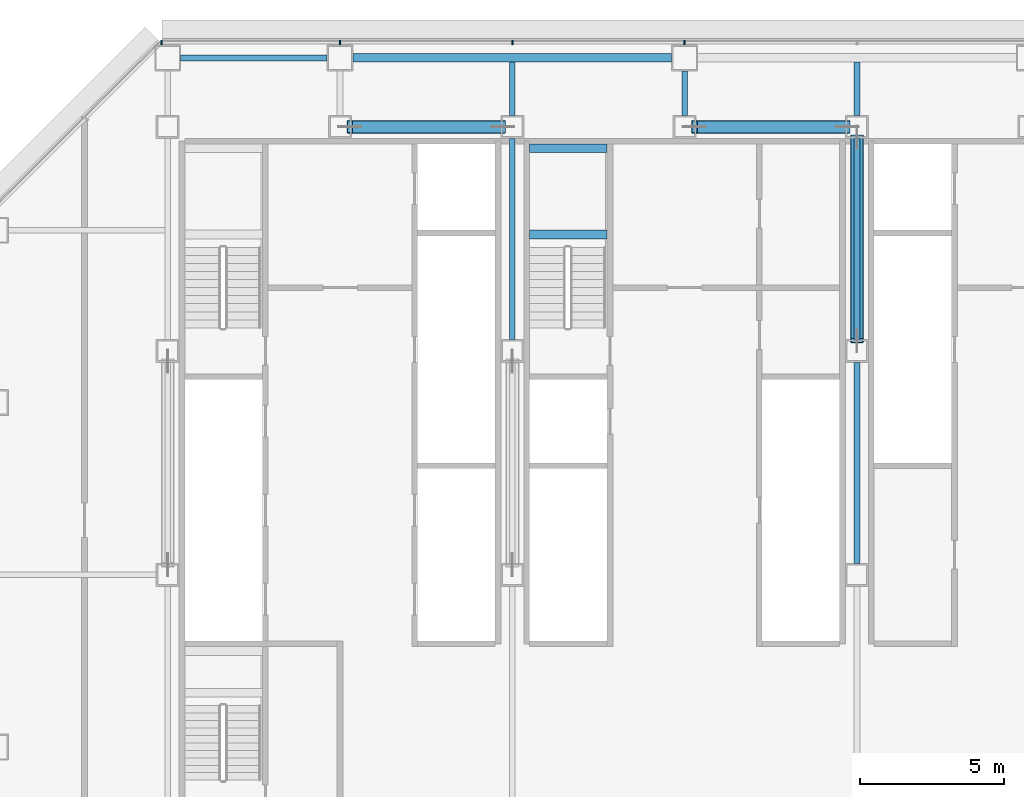
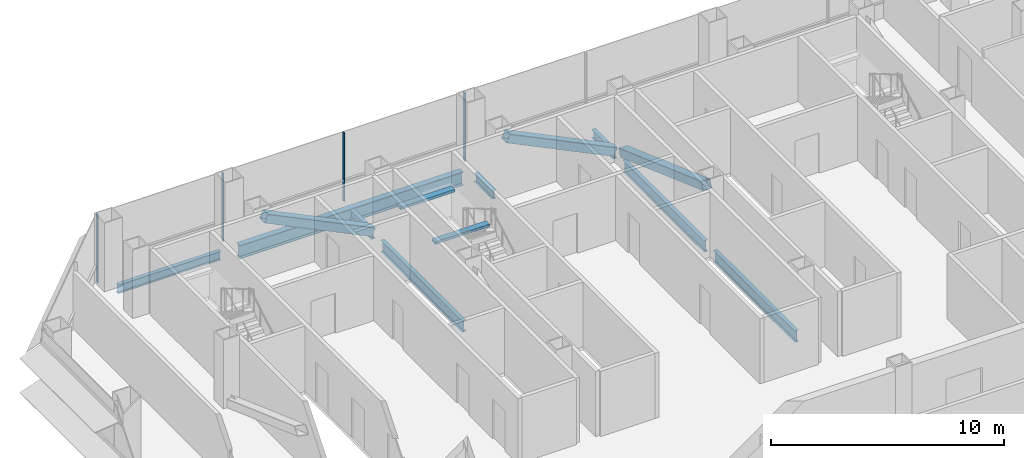
# One storey, part 12 of 27: 10 beams, 7 members, 1 element without a shape of its own.
"""IFC4 building model written with IfcOpenShell, lengths in metres."""

from ifc_helpers import new_model, si_unit, direction, frame, origin, origin_2d, place, context, subcontext, project, spatial, rectangle, hollow_rectangle, i_section, extrude, material, material_profile, profile_set, type_object, element, aggregate, save


model = new_model("IFC4")

# Units and contexts
model_context = context("Model", 3, precision=1e-05, world=origin(), true_north=direction((0.0, 1.0)))
body_context = subcontext(model_context, "Body", "Model", "MODEL_VIEW")
ifc_project = project(units=[si_unit("LENGTHUNIT", "METRE"), si_unit("AREAUNIT", "SQUARE_METRE"), si_unit("VOLUMEUNIT", "CUBIC_METRE"), si_unit("PLANEANGLEUNIT", "RADIAN"), si_unit("MASSUNIT", "GRAM", prefix="KILO")], contexts=[model_context])

# Site, building, storey
site_placement = place(None, origin())
site = spatial("IfcSite", under=ifc_project, at=site_placement, CompositionType="ELEMENT")
building_placement = place(site_placement, origin())
building = spatial("IfcBuilding", under=site, at=building_placement, Name="Sorahane Residences", CompositionType="ELEMENT")
storey_placement = place(building_placement, frame((0.0, 0.0, 82.199951171875)))
storey = spatial("IfcBuildingStorey", under=building, at=storey_placement, Name="L17", CompositionType="ELEMENT", Elevation=82.199951171875)

# Members
ifc_material_1 = material(Name="Steel Q355B", Category="steel")
ifc_material_profile_1 = material_profile(ifc_material_1, hollow_rectangle(XDim=0.449951171875, YDim=0.449951171875, WallThickness=0.02197265625, InnerFilletRadius=0.010986328125, OuterFilletRadius=0.032958984375, at=origin_2d()), Name="RHS 450x450x22")
ifc_profile_set_1 = profile_set([ifc_material_profile_1], Name="Steel Q355B")
member_type_1 = type_object("IfcMemberType", Name="Core brace RHS 450x450x22 Q355B", PredefinedType="BRACE", material=ifc_profile_set_1)
for number, where, z_axis, x_axis, name in (
    (1, (17.658935546875, 45.60009765625, 0.196533203125), (-0.899894691922, 0.0, 0.436107261405), (0.0, -1.0, 0.0), "Core brace L17 y45.6-2"),
    (2, (29.658935546875, 45.60009765625, 0.196533203125), (-0.899894691922, 0.0, 0.436107261405), (0.0, -1.0, 0.0), "Core brace L17 y45.6-4"),
):
    element("IfcMember", number, at=place(storey_placement, frame(where, z_axis=z_axis, x_axis=x_axis)), inside=storey, type_object=member_type_1, Name=name, PredefinedType="BRACE", context=body_context, shape_type="SweptSolid", body=[
        extrude(hollow_rectangle(XDim=0.449951171875, YDim=0.449951171875, WallThickness=0.02197265625, InnerFilletRadius=0.010986328125, OuterFilletRadius=0.032958984375, at=origin_2d()), origin(), (0.0, 0.0, 1.0), 5.909423828125),
    ])
member_1_placement = place(storey_placement, frame((30.0, 45.24560546875, 0.20849609375), z_axis=(0.0, -0.940882869443, 0.338732085856), x_axis=(1.0, 0.0, 0.0)))
element("IfcMember", 3, at=member_1_placement, inside=storey, type_object=member_type_1, Name="Core brace L17 x30-2", PredefinedType="BRACE", context=body_context, shape_type="SweptSolid", body=[
    extrude(hollow_rectangle(XDim=0.449951171875, YDim=0.449951171875, WallThickness=0.02197265625, InnerFilletRadius=0.010986328125, OuterFilletRadius=0.032958984375, at=origin_2d()), origin(), (0.0, 0.0, 1.0), 7.536865234375),
])

# Curtain wall, members
ifc_material_2 = material(Name="Dark low-e glass and black anodised aluminium", Category="aluminium")
curtain_wall_type = type_object("IfcCurtainWallType", Name="Curtain wall CW-1 Typical unitised wall", PredefinedType="NOTDEFINED", material=ifc_material_2)
curtain_wall_placement = place(storey_placement, origin())
curtain_wall = element("IfcCurtainWall", 4, at=curtain_wall_placement, inside=storey, type_object=curtain_wall_type, Name="CW-1 curtain wall L17 N1", PredefinedType="NOTDEFINED")
ifc_material_3 = material(Name="Black anodised aluminium", Category="aluminium")
ifc_material_profile_2 = material_profile(ifc_material_3, rectangle(XDim=0.159912109375, YDim=0.050048828125, at=origin_2d()), Name="Curtain wall mullion CW-1 black anodised aluminium 50x160")
ifc_profile_set_2 = profile_set([ifc_material_profile_2], Name="Black anodised aluminium")
member_type_2 = type_object("IfcMemberType", Name="Curtain wall mullion CW-1 black anodised aluminium 50x160", PredefinedType="MULLION", material=ifc_profile_set_2)
member_2_placement = place(storey_placement, frame((24.0, 48.5400390625, -0.179931640625), z_axis=(0.0, 0.0, 1.0), x_axis=(0.0, 1.0, 0.0)))
member_2 = element("IfcMember", 5, at=member_2_placement, type_object=member_type_2, Name="CW-1 mullion L17 N1.7", PredefinedType="MULLION", context=body_context, shape_type="SweptSolid", body=[
    extrude(rectangle(XDim=0.159912109375, YDim=0.050048828125, at=origin_2d()), origin(), (0.0, 0.0, 1.0), 3.60009765625),
])
member_3_placement = place(storey_placement, frame((18.0, 48.5400390625, -0.179931640625), z_axis=(0.0, 0.0, 1.0), x_axis=(0.0, 1.0, 0.0)))
member_3 = element("IfcMember", 6, at=member_3_placement, type_object=member_type_2, Name="CW-1 mullion L17 N1.8", PredefinedType="MULLION", context=body_context, shape_type="SweptSolid", body=[
    extrude(rectangle(XDim=0.159912109375, YDim=0.050048828125, at=origin_2d()), origin(), (0.0, 0.0, 1.0), 3.60009765625),
])
member_4_placement = place(storey_placement, frame((12.0, 48.5400390625, -0.179931640625), z_axis=(0.0, 0.0, 1.0), x_axis=(0.0, 1.0, 0.0)))
member_4 = element("IfcMember", 7, at=member_4_placement, type_object=member_type_2, Name="CW-1 mullion L17 N1.9", PredefinedType="MULLION", context=body_context, shape_type="SweptSolid", body=[
    extrude(rectangle(XDim=0.159912109375, YDim=0.050048828125, at=origin_2d()), origin(), (0.0, 0.0, 1.0), 3.60009765625),
])
member_5_placement = place(storey_placement, frame((5.7763671875, 48.5400390625, -0.179931640625), z_axis=(0.0, 0.0, 1.0), x_axis=(0.0, 1.0, 0.0)))
member_5 = element("IfcMember", 8, at=member_5_placement, type_object=member_type_2, Name="CW-1 mullion L17 N1.10", PredefinedType="MULLION", context=body_context, shape_type="SweptSolid", body=[
    extrude(rectangle(XDim=0.159912109375, YDim=0.050048828125, at=origin_2d()), origin(), (0.0, 0.0, 1.0), 3.60009765625),
])
aggregate(curtain_wall, [member_2, member_3, member_4, member_5])

# Beams
ifc_material_4 = material(Name="Concrete C40", Category="concrete")
ifc_material_profile_3 = material_profile(ifc_material_4, rectangle(XDim=0.300048828125, YDim=0.139892578125, at=origin_2d()), Name="300x140")
ifc_profile_set_3 = profile_set([ifc_material_profile_3], Name="Concrete C40")
beam_type_1 = type_object("IfcBeamType", Name="RC landing beam 300 x 140 Concrete C40", PredefinedType="BEAM", material=ifc_profile_set_3)
for number, where, z_axis, x_axis, name in (
    (9, (18.60009765625, 41.85009765625, 1.530029296875), (1.0, 0.0, 0.0), (0.0, 1.0, 0.0), "Landing beam"),
    (10, (18.60009765625, 44.85009765625, 1.530029296875), (1.0, 0.0, 0.0), (0.0, 1.0, 0.0), "Landing beam"),
):
    element("IfcBeam", number, at=place(storey_placement, frame(where, z_axis=z_axis, x_axis=x_axis)), inside=storey, type_object=beam_type_1, Name=name, PredefinedType="BEAM", context=body_context, shape_type="SweptSolid", body=[
        extrude(rectangle(XDim=0.300048828125, YDim=0.139892578125, at=origin_2d()), origin(), (0.0, 0.0, 1.0), 2.699951171875),
    ])
ifc_material_5 = material(Name="Steel Q355B", Category="steel")
ifc_material_profile_4 = material_profile(ifc_material_5, i_section(OverallWidth=0.199951171875, OverallDepth=0.449951171875, WebThickness=0.009033203125, FlangeThickness=0.013916015625, FilletRadius=0.02001953125, at=origin_2d()), Name="HN 450x200x9x14")
ifc_profile_set_4 = profile_set([ifc_material_profile_4], Name="Steel Q355B")
beam_type_2 = type_object("IfcBeamType", Name="Steel floor beam HN 450x200x9x14 Q355B", PredefinedType="BEAM", material=ifc_profile_set_4)
beam_1_placement = place(storey_placement, frame((6.449951171875, 48.0, -0.405029296875), z_axis=(1.0, 0.0, 0.0), x_axis=(0.0, 1.0, 0.0)))
element("IfcBeam", 11, at=beam_1_placement, inside=storey, type_object=beam_type_2, Name="Beam L17 012", PredefinedType="BEAM", context=body_context, shape_type="SweptSolid", body=[
    extrude(i_section(OverallWidth=0.199951171875, OverallDepth=0.449951171875, WebThickness=0.009033203125, FlangeThickness=0.013916015625, FilletRadius=0.02001953125, at=origin_2d()), origin(), (0.0, 0.0, 1.0), 5.10009765625),
])
beam_2_placement = place(storey_placement, frame((18.0, 46.0, -0.405029296875), z_axis=(0.0, 1.0, 0.0), x_axis=(-1.0, 0.0, 0.0)))
element("IfcBeam", 12, at=beam_2_placement, inside=storey, type_object=beam_type_2, Name="Beam L17 033", PredefinedType="BEAM", context=body_context, shape_type="SweptSolid", body=[
    extrude(i_section(OverallWidth=0.199951171875, OverallDepth=0.449951171875, WebThickness=0.009033203125, FlangeThickness=0.013916015625, FilletRadius=0.02001953125, at=origin_2d()), origin(), (0.0, 0.0, 1.0), 1.85009765625),
])
beam_3_placement = place(storey_placement, frame((24.0, 46.0, -0.405029296875), z_axis=(0.0, 1.0, 0.0), x_axis=(-1.0, 0.0, 0.0)))
element("IfcBeam", 13, at=beam_3_placement, inside=storey, type_object=beam_type_2, Name="Beam L17 035", PredefinedType="BEAM", context=body_context, shape_type="SweptSolid", body=[
    extrude(i_section(OverallWidth=0.199951171875, OverallDepth=0.449951171875, WebThickness=0.009033203125, FlangeThickness=0.013916015625, FilletRadius=0.02001953125, at=origin_2d()), origin(), (0.0, 0.0, 1.0), 1.550048828125),
])
beam_4_placement = place(storey_placement, frame((30.0, 46.0, -0.405029296875), z_axis=(0.0, 1.0, 0.0), x_axis=(-1.0, 0.0, 0.0)))
element("IfcBeam", 14, at=beam_4_placement, inside=storey, type_object=beam_type_2, Name="Beam L17 041", PredefinedType="BEAM", context=body_context, shape_type="SweptSolid", body=[
    extrude(i_section(OverallWidth=0.199951171875, OverallDepth=0.449951171875, WebThickness=0.009033203125, FlangeThickness=0.013916015625, FilletRadius=0.02001953125, at=origin_2d()), origin(), (0.0, 0.0, 1.0), 1.85009765625),
])
ifc_material_6 = material(Name="Steel Q355B", Category="steel")
ifc_material_profile_5 = material_profile(ifc_material_6, i_section(OverallWidth=0.199951171875, OverallDepth=0.60009765625, WebThickness=0.010986328125, FlangeThickness=0.01708984375, FilletRadius=0.02392578125, at=origin_2d()), Name="HN 600x200x11x17")
ifc_profile_set_5 = profile_set([ifc_material_profile_5], Name="Steel Q355B")
beam_type_3 = type_object("IfcBeamType", Name="Steel floor beam HN 600x200x11x17 Q355B", PredefinedType="BEAM", material=ifc_profile_set_5)
for number, where, z_axis, x_axis, name in (
    (15, (18.0, 38.199951171875, -0.47998046875), (0.0, 1.0, 0.0), (-1.0, 0.0, 0.0), "Beam L17 032"),
    (16, (30.0, 30.39990234375, -0.47998046875), (0.0, 1.0, 0.0), (-1.0, 0.0, 0.0), "Beam L17 039"),
    (17, (30.0, 38.199951171875, -0.47998046875), (0.0, 1.0, 0.0), (-1.0, 0.0, 0.0), "Beam L17 040"),
):
    element("IfcBeam", number, at=place(storey_placement, frame(where, z_axis=z_axis, x_axis=x_axis)), inside=storey, type_object=beam_type_3, Name=name, PredefinedType="BEAM", context=body_context, shape_type="SweptSolid", body=[
        extrude(i_section(OverallWidth=0.199951171875, OverallDepth=0.60009765625, WebThickness=0.010986328125, FlangeThickness=0.01708984375, FilletRadius=0.02392578125, at=origin_2d()), origin(), (0.0, 0.0, 1.0), 7.0),
    ])
ifc_material_7 = material(Name="Steel Q355B", Category="steel")
ifc_material_profile_6 = material_profile(ifc_material_7, i_section(OverallWidth=0.300048828125, OverallDepth=0.699951171875, WebThickness=0.012939453125, FlangeThickness=0.02392578125, FilletRadius=0.028076171875, at=origin_2d()), Name="HN 700x300x13x24")
ifc_profile_set_6 = profile_set([ifc_material_profile_6], Name="Steel Q355B")
beam_type_4 = type_object("IfcBeamType", Name="Steel floor beam HN 700x300x13x24 Q355B", PredefinedType="BEAM", material=ifc_profile_set_6)
beam_5_placement = place(storey_placement, frame((12.449951171875, 48.0, -0.530029296875), z_axis=(1.0, 0.0, 0.0), x_axis=(0.0, 1.0, 0.0)))
element("IfcBeam", 18, at=beam_5_placement, inside=storey, type_object=beam_type_4, Name="Beam L17 013", PredefinedType="BEAM", context=body_context, shape_type="SweptSolid", body=[
    extrude(i_section(OverallWidth=0.300048828125, OverallDepth=0.699951171875, WebThickness=0.012939453125, FlangeThickness=0.02392578125, FilletRadius=0.028076171875, at=origin_2d()), origin(), (0.0, 0.0, 1.0), 11.10009765625),
])

save(model, "model.ifc")
